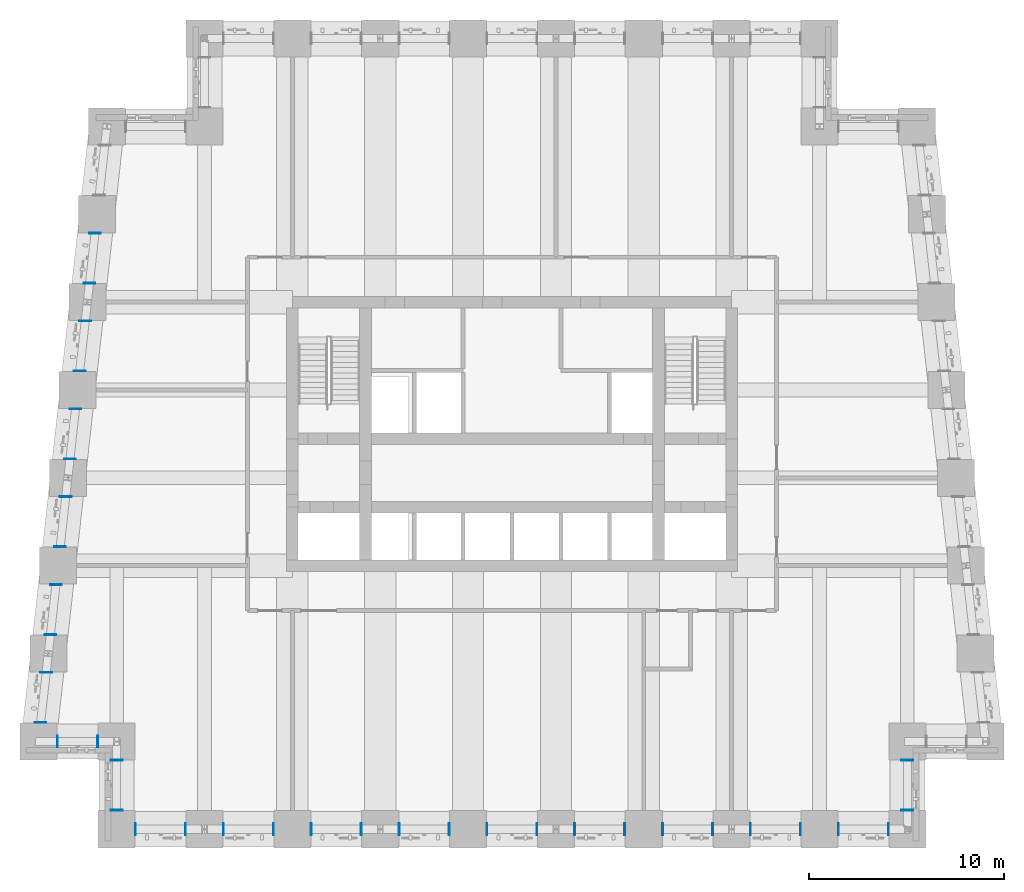
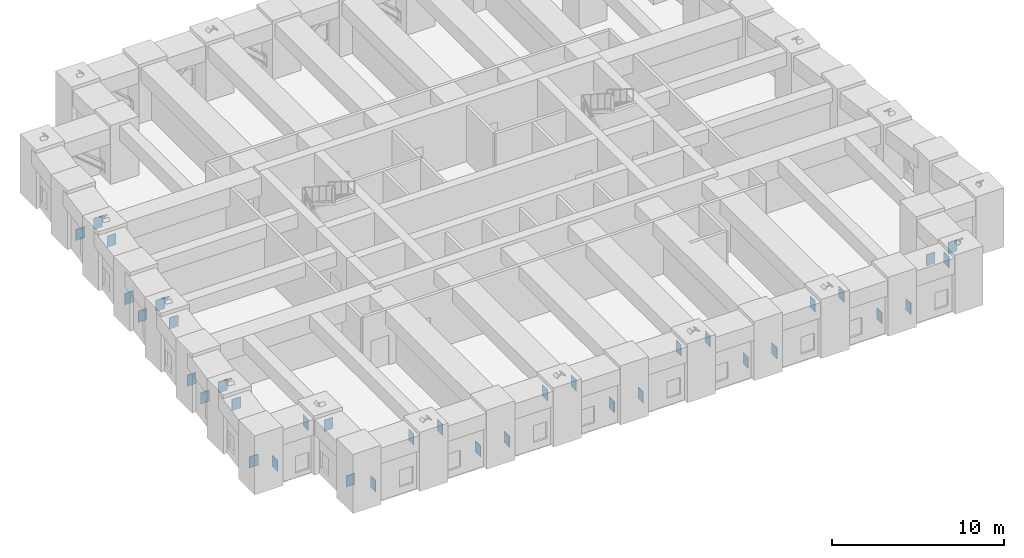
# One storey, part 6 of 16: 36 discrete accessories.
"""IFC4 building model written with IfcOpenShell, lengths in metres."""

import ifcopenshell
import ifcopenshell.guid

model = None  # the IFC model being written
_history = None  # IfcOwnerHistory: only IFC2X3 demands one
_inside = {}  # id of a spatial element -> (the spatial element, [elements in it])
_under = {}  # id of a project, library or spatial element -> (it, [spatial elements below it])
_declared = {}  # id of a project -> (the project, [libraries it declares])
_typed = {}  # id of a type object -> (the type object, [elements of that type])
_made_of = {}  # id of a material, layer set ... -> (it, [elements and type objects made of it])


def new_model(schema):
    """Start an empty IFC model of exactly this schema.

    Asked for "IFC4X3", IfcOpenShell would pick the latest addendum, in which some entities
    have other attributes; the version numbers below select the first issue.
    IFC2X3 requires an IfcOwnerHistory on every rooted entity: one is made here for all.
    """
    global model, _history
    if schema == "IFC4X3":
        model = ifcopenshell.file(schema_version=(4, 3, 0, 0))
    else:
        model = ifcopenshell.file(schema=schema)
    _inside.clear()
    _under.clear()
    _declared.clear()
    _typed.clear()
    _made_of.clear()
    _history = None
    if model.schema == "IFC2X3":
        org = make("IfcOrganization", Name="unknown")
        user = make(
            "IfcPersonAndOrganization",
            ThePerson=make("IfcPerson", FamilyName="unknown"),
            TheOrganization=org,
        )
        app = make(
            "IfcApplication",
            ApplicationDeveloper=org,
            Version="unknown",
            ApplicationFullName="unknown",
            ApplicationIdentifier="unknown",
        )
        _history = make(
            "IfcOwnerHistory",
            OwningUser=user,
            OwningApplication=app,
            ChangeAction="ADDED",
            CreationDate=0,
        )
    return model


def make(cls, **values):
    """One entity of the class cls with the attributes given. An attribute that is None is left unset."""
    return model.create_entity(
        cls, **{name: value for name, value in values.items() if value is not None}
    )


def rooted(cls, **values):
    """An entity with a GlobalId (a new one), such as an element, a storey or a relation."""
    return make(cls, GlobalId=ifcopenshell.guid.new(), OwnerHistory=_history, **values)


def si_unit(unit_type, name, prefix=None):
    """IfcSIUnit, for example si_unit("LENGTHUNIT", "METRE", prefix="MILLI")."""
    return make("IfcSIUnit", UnitType=unit_type, Prefix=prefix, Name=name)


def assignment(units):
    """IfcUnitAssignment: the units of a project."""
    return None if units is None else make("IfcUnitAssignment", Units=units)


def point(xyz):
    """IfcCartesianPoint."""
    return None if xyz is None else make("IfcCartesianPoint", Coordinates=xyz)


def direction(xyz):
    """IfcDirection."""
    return None if xyz is None else make("IfcDirection", DirectionRatios=xyz)


def frame(location, z_axis=None, x_axis=None):
    """IfcAxis2Placement3D, a coordinate frame: its origin and axes. An axis left out is left unset."""
    return make(
        "IfcAxis2Placement3D",
        Location=point(location),
        Axis=direction(z_axis),
        RefDirection=direction(x_axis),
    )


def origin():
    """The frame at (0, 0, 0) with its axes left unset."""
    return frame((0.0, 0.0, 0.0))


def place(relative_to, where):
    """IfcLocalPlacement: puts the frame where relative to a parent placement (None: the world)."""
    return make(
        "IfcLocalPlacement", PlacementRelTo=relative_to, RelativePlacement=where
    )


def context(
    kind, dimensions, precision=None, world=None, true_north=None, identifier=None
):
    """IfcGeometricRepresentationContext, for example the 3D "Model" context."""
    return make(
        "IfcGeometricRepresentationContext",
        ContextIdentifier=identifier,
        ContextType=kind,
        CoordinateSpaceDimension=dimensions,
        Precision=precision,
        WorldCoordinateSystem=world,
        TrueNorth=true_north,
    )


def subcontext(parent, identifier, kind, view, scale=None):
    """IfcGeometricRepresentationSubContext, for example "Body" below "Model"."""
    return make(
        "IfcGeometricRepresentationSubContext",
        ContextIdentifier=identifier,
        ContextType=kind,
        ParentContext=parent,
        TargetScale=scale,
        TargetView=view,
    )


def project(units=None, contexts=None):
    """IfcProject with its units and contexts."""
    return rooted(
        "IfcProject",
        Name="project",
        RepresentationContexts=contexts,
        UnitsInContext=assignment(units),
    )


def spatial(cls, under=None, at=None, **own):
    """A site, building, storey or space (cls), placed at a placement, below another one or the project."""
    s = rooted(cls, ObjectPlacement=at, **own)
    if under is not None:
        _under.setdefault(under.id(), (under, []))[1].append(s)
    return s


def polyline(points):
    """IfcPolyline through the points."""
    return make("IfcPolyline", Points=[point(p) for p in points])


def outline(outer, holes=None, kind="AREA"):
    """IfcArbitraryClosedProfileDef: a profile drawn as a closed curve; with holes, ...WithVoids."""
    if holes is None:
        return make("IfcArbitraryClosedProfileDef", ProfileType=kind, OuterCurve=outer)
    return make(
        "IfcArbitraryProfileDefWithVoids",
        ProfileType=kind,
        OuterCurve=outer,
        InnerCurves=holes,
    )


def extrude(swept, where, along, depth):
    """IfcExtrudedAreaSolid: the profile swept, set in the frame where, extruded along a direction by depth."""
    return make(
        "IfcExtrudedAreaSolid",
        SweptArea=swept,
        Position=where,
        ExtrudedDirection=direction(along),
        Depth=depth,
    )


def shape(context_of_items, identifier, shape_type, items):
    """IfcShapeRepresentation: the items that make up one representation, for example the "Body"."""
    return make(
        "IfcShapeRepresentation",
        ContextOfItems=context_of_items,
        RepresentationIdentifier=identifier,
        RepresentationType=shape_type,
        Items=items,
    )


def source(mapping_origin, context_of_items, identifier, shape_type, items):
    """IfcRepresentationMap: a shape defined once, which mapped items show again and again."""
    return make(
        "IfcRepresentationMap",
        MappingOrigin=mapping_origin,
        MappedRepresentation=shape(context_of_items, identifier, shape_type, items),
    )


def transform(
    local_origin,
    x_axis=None,
    y_axis=None,
    z_axis=None,
    scale=None,
    scale2=None,
    scale3=None,
    uniform=True,
):
    """IfcCartesianTransformationOperator3D, or its non-uniform kind. x_axis, y_axis, z_axis: its Axis1, 2, 3."""
    if uniform:
        return make(
            "IfcCartesianTransformationOperator3D",
            Axis1=direction(x_axis),
            Axis2=direction(y_axis),
            LocalOrigin=point(local_origin),
            Scale=scale,
            Axis3=direction(z_axis),
        )
    return make(
        "IfcCartesianTransformationOperator3DnonUniform",
        Axis1=direction(x_axis),
        Axis2=direction(y_axis),
        LocalOrigin=point(local_origin),
        Scale=scale,
        Axis3=direction(z_axis),
        Scale2=scale2,
        Scale3=scale3,
    )


def mapped(mapping_source, mapping_target):
    """IfcMappedItem: shows the shape of a source again, moved by a transform."""
    return make(
        "IfcMappedItem", MappingSource=mapping_source, MappingTarget=mapping_target
    )


def material(Name=None, Category=None):
    """IfcMaterial."""
    return make("IfcMaterial", Name=Name, Category=Category)


def layer(
    of_material, thickness, ventilated=None, Name=None, Category=None, Priority=None
):
    """IfcMaterialLayer: one layer of a wall or slab, of a material (None: an air gap)."""
    return make(
        "IfcMaterialLayer",
        Material=of_material,
        LayerThickness=thickness,
        IsVentilated=ventilated,
        Name=Name,
        Category=Category,
        Priority=Priority,
    )


def layer_set(layers, Name=None):
    """IfcMaterialLayerSet."""
    return make("IfcMaterialLayerSet", MaterialLayers=layers, LayerSetName=Name)


def made_of(thing, what):
    """Note that an element or type object is made of a material, layer set ...; save() writes the relation."""
    if what is not None:
        _made_of.setdefault(what.id(), (what, []))[1].append(thing)
    return thing


def type_object(cls, material=None, **own):
    """A type object (cls), such as IfcWallType, which elements share."""
    return made_of(rooted(cls, **own), material)


def element(
    cls,
    number,
    at=None,
    inside=None,
    cuts=None,
    type_object=None,
    material=None,
    context=None,
    identifier="Body",
    shape_type=None,
    held_by="IfcProductDefinitionShape",
    body=None,
    shapes=None,
    **own,
):
    """One element of the class cls, such as IfcWall. Its Tag is "e" and its number.

    at: its placement. inside: the storey or other place that contains it. cuts: it is an
    opening in that element (IfcRelVoidsElement). A single representation is given by context,
    identifier, shape_type and body (its items); several are given by shapes. held_by: the class
    of the entity that holds the representations. save() writes the other relations.
    """
    e = rooted(cls, Tag="e%d" % number, ObjectPlacement=at, **own)
    if body is not None:
        shapes = [shape(context, identifier, shape_type, body)]
    if shapes is not None:
        e.Representation = make(held_by, Representations=shapes)
    if inside is not None:
        _inside.setdefault(inside.id(), (inside, []))[1].append(e)
    if cuts is not None:
        rooted(
            "IfcRelVoidsElement", RelatingBuildingElement=cuts, RelatedOpeningElement=e
        )
    if type_object is not None:
        _typed.setdefault(type_object.id(), (type_object, []))[1].append(e)
    return made_of(e, material)


def aggregate(whole, parts):
    """IfcRelAggregates: a whole, such as a stair, and the parts it consists of."""
    return rooted("IfcRelAggregates", RelatingObject=whole, RelatedObjects=parts)


def save(model, path):
    """Write the relations noted so far, then the file.

    IfcRelAggregates (storeys below a building ...), IfcRelContainedInSpatialStructure (elements
    in a storey), IfcRelDefinesByType, IfcRelAssociatesMaterial and IfcRelDeclares: one each for
    every whole, place, type object, material and project.
    """
    for whole, parts in _under.values():
        aggregate(whole, parts)
    for where, things in _inside.values():
        rooted(
            "IfcRelContainedInSpatialStructure",
            RelatedElements=things,
            RelatingStructure=where,
        )
    for kind, things in _typed.values():
        rooted("IfcRelDefinesByType", RelatedObjects=things, RelatingType=kind)
    for what, things in _made_of.values():
        rooted("IfcRelAssociatesMaterial", RelatedObjects=things, RelatingMaterial=what)
    for by, libraries in _declared.values():
        rooted("IfcRelDeclares", RelatingContext=by, RelatedDefinitions=libraries)
    model.write(path)


model = new_model("IFC4")

# Units and contexts
model_context = context("Model", 3, precision=1e-05, world=origin(), true_north=direction((0.0, 1.0)))
body_context = subcontext(model_context, "Body", "Model", "MODEL_VIEW")
ifc_project = project(units=[si_unit("LENGTHUNIT", "METRE"), si_unit("AREAUNIT", "SQUARE_METRE"), si_unit("VOLUMEUNIT", "CUBIC_METRE"), si_unit("PLANEANGLEUNIT", "RADIAN"), si_unit("MASSUNIT", "GRAM", prefix="KILO")], contexts=[model_context])

# Site, building, storey
site_placement = place(None, origin())
site = spatial("IfcSite", under=ifc_project, at=site_placement, CompositionType="ELEMENT")
building_placement = place(site_placement, origin())
building = spatial("IfcBuilding", under=site, at=building_placement, Name="Kilele Tower Hotel", CompositionType="ELEMENT")
storey_placement = place(building_placement, frame((0.0, 0.0, 85.699951171875)))
storey = spatial("IfcBuildingStorey", under=building, at=storey_placement, Name="L21", CompositionType="ELEMENT", Elevation=85.699951171875)

# Discrete accessories
ifc_material = material(Name="Steel S355", Category="steel")
ifc_layer = layer(ifc_material, 0.0400390625)
ifc_layer_set = layer_set([ifc_layer], Name="Steel S355")
discrete_accessory_type = type_object("IfcDiscreteAccessoryType", Name="Cast-in anchor plate 800x600x40", PredefinedType="ANCHORPLATE", material=ifc_layer_set)
shared_shape = source(origin(), body_context, "Body", "SweptSolid", [
    extrude(outline(polyline([(0.0, 0.0), (0.0400390625, 0.0), (0.0400390625, 0.800048828125), (0.0, 0.800048828125), (0.0, 0.0)])), origin(), (0.0, 0.0, 1.0), 0.60009765625),
])
for number, where, z_axis, x_axis, name in (
    (1, (1.449951171875, 4.800048828125, 0.59765625), (0.0, -1.0, 0.0), (1.0, 0.0, 0.0), "Cast-in anchor plate L21"),
    (2, (3.550048828125, 4.199951171875, 2.802490234375), (0.0, 1.0, 0.0), (-1.0, 0.0, 0.0), "Cast-in anchor plate L21"),
    (3, (4.800048828125, 3.550048828125, 2.913330078125), (-1.0, 0.0, 0.0), (0.0, -1.0, 0.0), "Cast-in anchor plate L21"),
    (4, (4.199951171875, 0.949951171875, 0.48681640625), (1.0, 0.0, 0.0), (0.0, 1.0, 0.0), "Cast-in anchor plate L21"),
    (5, (5.449951171875, 0.300048828125, 0.48681640625), (0.0, -1.0, 0.0), (1.0, 0.0, 0.0), "Cast-in anchor plate L21"),
    (6, (8.050048828125, -0.300048828125, 2.913330078125), (0.0, 1.0, 0.0), (-1.0, 0.0, 0.0), "Cast-in anchor plate L21"),
    (7, (9.949951171875, 0.300048828125, 2.913330078125), (0.0, -1.0, 0.0), (1.0, 0.0, 0.0), "Cast-in anchor plate L21"),
    (8, (12.550048828125, -0.300048828125, 0.48681640625), (0.0, 1.0, 0.0), (-1.0, 0.0, 0.0), "Cast-in anchor plate L21"),
    (9, (14.449951171875, 0.300048828125, 0.48681640625), (0.0, -1.0, 0.0), (1.0, 0.0, 0.0), "Cast-in anchor plate L21"),
    (10, (17.050048828125, -0.300048828125, 2.913330078125), (0.0, 1.0, 0.0), (-1.0, 0.0, 0.0), "Cast-in anchor plate L21"),
    (11, (18.949951171875, 0.300048828125, 2.913330078125), (0.0, -1.0, 0.0), (1.0, 0.0, 0.0), "Cast-in anchor plate L21"),
    (12, (21.550048828125, -0.300048828125, 0.48681640625), (0.0, 1.0, 0.0), (-1.0, 0.0, 0.0), "Cast-in anchor plate L21"),
    (13, (23.449951171875, 0.300048828125, 0.48681640625), (0.0, -1.0, 0.0), (1.0, 0.0, 0.0), "Cast-in anchor plate L21"),
    (14, (26.050048828125, -0.300048828125, 2.913330078125), (0.0, 1.0, 0.0), (-1.0, 0.0, 0.0), "Cast-in anchor plate L21"),
    (15, (27.949951171875, 0.300048828125, 2.913330078125), (0.0, -1.0, 0.0), (1.0, 0.0, 0.0), "Cast-in anchor plate L21"),
    (16, (30.550048828125, -0.300048828125, 0.48681640625), (0.0, 1.0, 0.0), (-1.0, 0.0, 0.0), "Cast-in anchor plate L21"),
    (17, (32.449951171875, 0.300048828125, 0.48681640625), (0.0, -1.0, 0.0), (1.0, 0.0, 0.0), "Cast-in anchor plate L21"),
    (18, (35.050048828125, -0.300048828125, 2.913330078125), (0.0, 1.0, 0.0), (-1.0, 0.0, 0.0), "Cast-in anchor plate L21"),
    (19, (36.949951171875, 0.300048828125, 2.913330078125), (0.0, -1.0, 0.0), (1.0, 0.0, 0.0), "Cast-in anchor plate L21"),
    (20, (39.550048828125, -0.300048828125, 0.48681640625), (0.0, 1.0, 0.0), (-1.0, 0.0, 0.0), "Cast-in anchor plate L21"),
    (21, (41.449951171875, 0.300048828125, 0.48681640625), (0.0, -1.0, 0.0), (1.0, 0.0, 0.0), "Cast-in anchor plate L21"),
    (22, (44.050048828125, -0.300048828125, 2.913330078125), (0.0, 1.0, 0.0), (-1.0, 0.0, 0.0), "Cast-in anchor plate L21"),
    (23, (44.699951171875, 0.949951171875, 2.913330078125), (1.0, 0.0, 0.0), (0.0, 1.0, 0.0), "Cast-in anchor plate L21"),
    (24, (45.300048828125, 3.550048828125, 0.48681640625), (-1.0, 0.0, 0.0), (0.0, -1.0, 0.0), "Cast-in anchor plate L21"),
    (25, (3.6943359375, 30.550048828125, 0.48681640625), (-1.0, 0.0, 0.0), (0.0, -1.0, 0.0), "Cast-in anchor plate L21"),
    (26, (2.8056640625, 27.949951171875, 2.913330078125), (1.0, 0.0, 0.0), (0.0, 1.0, 0.0), "Cast-in anchor plate L21"),
    (27, (3.1943359375, 26.050048828125, 2.913330078125), (-1.0, 0.0, 0.0), (0.0, -1.0, 0.0), "Cast-in anchor plate L21"),
    (28, (2.3056640625, 23.449951171875, 0.48681640625), (1.0, 0.0, 0.0), (0.0, 1.0, 0.0), "Cast-in anchor plate L21"),
    (29, (2.6943359375, 21.550048828125, 0.48681640625), (-1.0, 0.0, 0.0), (0.0, -1.0, 0.0), "Cast-in anchor plate L21"),
    (30, (1.8056640625, 18.949951171875, 2.913330078125), (1.0, 0.0, 0.0), (0.0, 1.0, 0.0), "Cast-in anchor plate L21"),
    (31, (2.1943359375, 17.050048828125, 2.913330078125), (-1.0, 0.0, 0.0), (0.0, -1.0, 0.0), "Cast-in anchor plate L21"),
    (32, (1.3056640625, 14.449951171875, 0.48681640625), (1.0, 0.0, 0.0), (0.0, 1.0, 0.0), "Cast-in anchor plate L21"),
    (33, (1.6943359375, 12.550048828125, 0.48681640625), (-1.0, 0.0, 0.0), (0.0, -1.0, 0.0), "Cast-in anchor plate L21"),
    (34, (0.8056640625, 9.949951171875, 2.913330078125), (1.0, 0.0, 0.0), (0.0, 1.0, 0.0), "Cast-in anchor plate L21"),
    (35, (1.1943359375, 8.050048828125, 2.913330078125), (-1.0, 0.0, 0.0), (0.0, -1.0, 0.0), "Cast-in anchor plate L21"),
    (36, (0.3056640625, 5.449951171875, 0.48681640625), (1.0, 0.0, 0.0), (0.0, 1.0, 0.0), "Cast-in anchor plate L21"),
):
    element("IfcDiscreteAccessory", number, at=place(storey_placement, frame(where, z_axis=z_axis, x_axis=x_axis)), inside=storey, type_object=discrete_accessory_type, Name=name, PredefinedType="ANCHORPLATE", context=body_context, shape_type="MappedRepresentation", body=[
        mapped(shared_shape, transform((0.0, 0.0, 0.0))),
    ])

save(model, "model.ifc")
